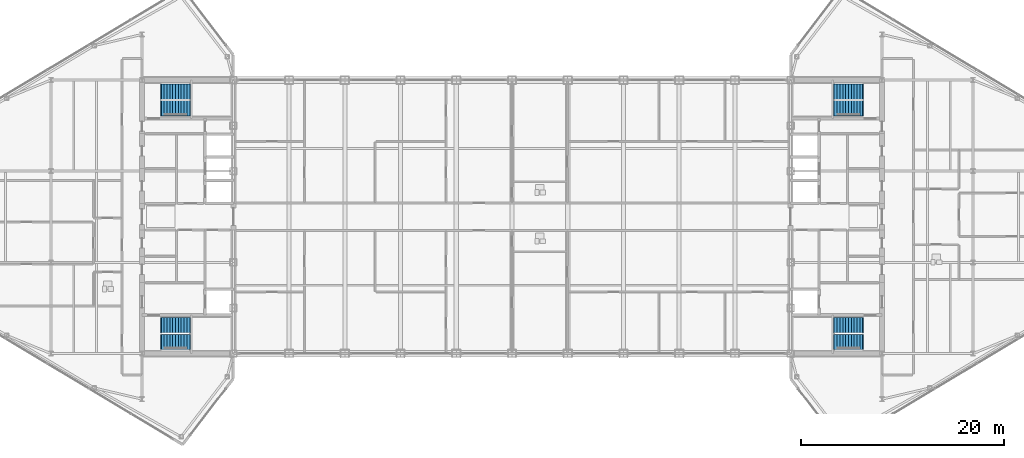
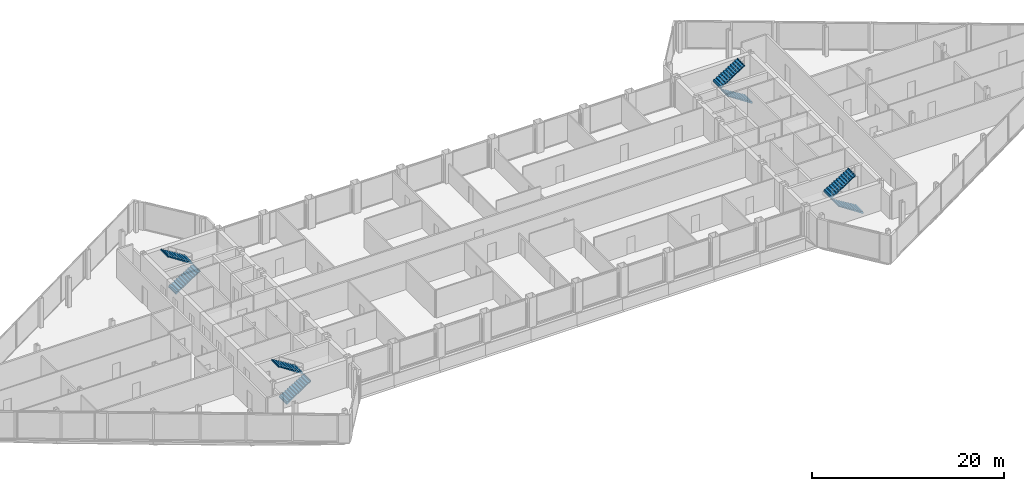
# One storey, part 27 of 29: 8 stair flights, 4 elements without a shape of their own.
"""IFC4 building model written with IfcOpenShell, lengths in metres."""

from ifc_helpers import new_model, si_unit, direction, frame, origin, place, context, subcontext, project, spatial, polyline, outline, extrude, material, type_object, element, aggregate, save


model = new_model("IFC4")

# Units and contexts
model_context = context("Model", 3, precision=1e-05, world=origin(), true_north=direction((0.0, 1.0)))
body_context = subcontext(model_context, "Body", "Model", "MODEL_VIEW")
ifc_project = project(units=[si_unit("LENGTHUNIT", "METRE"), si_unit("AREAUNIT", "SQUARE_METRE"), si_unit("VOLUMEUNIT", "CUBIC_METRE"), si_unit("PLANEANGLEUNIT", "RADIAN"), si_unit("MASSUNIT", "GRAM", prefix="KILO")], contexts=[model_context])

# Site, building, storey
site_placement = place(None, origin())
site = spatial("IfcSite", under=ifc_project, at=site_placement, CompositionType="ELEMENT")
building_placement = place(site_placement, origin())
building = spatial("IfcBuilding", under=site, at=building_placement, Name="Seokmaru Belvedere", CompositionType="ELEMENT")
storey_placement = place(building_placement, frame((0.0, 0.0, 239.39990234375)))
storey = spatial("IfcBuildingStorey", under=building, at=storey_placement, Name="L63", CompositionType="ELEMENT", Elevation=239.39990234375)

# Stair, stair flights
ifc_material = material(Name="Concrete C40 (40 MPa)", Category="concrete")
stair_type = type_object("IfcStairType", Name="Sky-Gate Residential Core Dog-Leg Stair 3750", PredefinedType="TWO_STRAIGHT_RUN_STAIR", material=ifc_material)
stair_1_placement = place(storey_placement, origin())
stair_1 = element("IfcStair", 1, at=stair_1_placement, inside=storey, type_object=stair_type, Name="L63 Special Escape Stair ST-W1", PredefinedType="TWO_STRAIGHT_RUN_STAIR")
stair_flight_type = type_object("IfcStairFlightType", Name="Reinforced Concrete Stair Flight 1500", PredefinedType="STRAIGHT", material=ifc_material)
stair_flight_1_placement = place(storey_placement, frame((-34.60009765625, -12.35009765625, 0.0), z_axis=(0.0, 0.0, 1.0), x_axis=(1.0, 0.0, 0.0)))
stair_flight_1 = element("IfcStairFlight", 2, at=stair_flight_1_placement, type_object=stair_flight_type, Name="ST-W1 flight 1", NumberOfRisers=11, NumberOfTreads=10, PredefinedType="STRAIGHT", RiserHeight=0.170454545, TreadLength=0.28, context=body_context, shape_type="SweptSolid", body=[
    extrude(outline(polyline([(-0.080078125, 0.0), (0.0, 0.17041015625), (0.280029296875, 0.17041015625), (0.280029296875, 0.3408203125), (0.56005859375, 0.3408203125), (0.56005859375, 0.511474609375), (0.840087890625, 0.511474609375), (0.840087890625, 0.681884765625), (1.1201171875, 0.681884765625), (1.1201171875, 0.852294921875), (1.39990234375, 0.852294921875), (1.39990234375, 1.022705078125), (1.679931640625, 1.022705078125), (1.679931640625, 1.193115234375), (1.9599609375, 1.193115234375), (1.9599609375, 1.363525390625), (2.239990234375, 1.363525390625), (2.239990234375, 1.5341796875), (2.52001953125, 1.5341796875), (2.52001953125, 1.70458984375), (2.800048828125, 1.70458984375), (2.800048828125, 1.875), (2.8798828125, 1.875), (2.8798828125, 1.68505859375), (2.800048828125, 1.68505859375), (0.0, -0.159912109375), (-0.080078125, -0.159912109375), (-0.080078125, 0.0)])), frame((0.0, 0.75, 0.0), z_axis=(0.0, -1.0, 0.0), x_axis=(1.0, 0.0, 0.0)), (0.0, 0.0, 1.0), 1.5),
])
stair_flight_2_placement = place(storey_placement, frame((-31.800048828125, -10.7099609375, 1.875), z_axis=(0.0, 0.0, 1.0), x_axis=(-1.0, 0.0, 0.0)))
stair_flight_2 = element("IfcStairFlight", 3, at=stair_flight_2_placement, type_object=stair_flight_type, Name="ST-W1 flight 2", NumberOfRisers=11, NumberOfTreads=10, PredefinedType="STRAIGHT", RiserHeight=0.170454545, TreadLength=0.28, context=body_context, shape_type="SweptSolid", body=[
    extrude(outline(polyline([(-0.080078125, 0.0), (0.0, 0.17041015625), (0.280029296875, 0.17041015625), (0.280029296875, 0.3408203125), (0.56005859375, 0.3408203125), (0.56005859375, 0.511474609375), (0.840087890625, 0.511474609375), (0.840087890625, 0.681884765625), (1.1201171875, 0.681884765625), (1.1201171875, 0.852294921875), (1.39990234375, 0.852294921875), (1.39990234375, 1.022705078125), (1.679931640625, 1.022705078125), (1.679931640625, 1.193115234375), (1.9599609375, 1.193115234375), (1.9599609375, 1.363525390625), (2.239990234375, 1.363525390625), (2.239990234375, 1.5341796875), (2.52001953125, 1.5341796875), (2.52001953125, 1.70458984375), (2.800048828125, 1.70458984375), (2.800048828125, 1.875), (2.8798828125, 1.875), (2.8798828125, 1.68505859375), (2.800048828125, 1.68505859375), (0.0, -0.159912109375), (-0.080078125, -0.159912109375), (-0.080078125, 0.0)])), frame((0.0, 0.75, 0.0), z_axis=(0.0, -1.0, 0.0), x_axis=(1.0, 0.0, 0.0)), (0.0, 0.0, 1.0), 1.5),
])
aggregate(stair_1, [stair_flight_1, stair_flight_2])

stair_2_placement = place(storey_placement, origin())
stair_2 = element("IfcStair", 4, at=stair_2_placement, inside=storey, type_object=stair_type, Name="L63 Special Escape Stair ST-W2", PredefinedType="TWO_STRAIGHT_RUN_STAIR")
stair_flight_3_placement = place(storey_placement, frame((-34.60009765625, 10.7099609375, 0.0), z_axis=(0.0, 0.0, 1.0), x_axis=(1.0, 0.0, 0.0)))
stair_flight_3 = element("IfcStairFlight", 5, at=stair_flight_3_placement, type_object=stair_flight_type, Name="ST-W2 flight 1", NumberOfRisers=11, NumberOfTreads=10, PredefinedType="STRAIGHT", RiserHeight=0.170454545, TreadLength=0.28, context=body_context, shape_type="SweptSolid", body=[
    extrude(outline(polyline([(-0.080078125, 0.0), (0.0, 0.17041015625), (0.280029296875, 0.17041015625), (0.280029296875, 0.3408203125), (0.56005859375, 0.3408203125), (0.56005859375, 0.511474609375), (0.840087890625, 0.511474609375), (0.840087890625, 0.681884765625), (1.1201171875, 0.681884765625), (1.1201171875, 0.852294921875), (1.39990234375, 0.852294921875), (1.39990234375, 1.022705078125), (1.679931640625, 1.022705078125), (1.679931640625, 1.193115234375), (1.9599609375, 1.193115234375), (1.9599609375, 1.363525390625), (2.239990234375, 1.363525390625), (2.239990234375, 1.5341796875), (2.52001953125, 1.5341796875), (2.52001953125, 1.70458984375), (2.800048828125, 1.70458984375), (2.800048828125, 1.875), (2.8798828125, 1.875), (2.8798828125, 1.68505859375), (2.800048828125, 1.68505859375), (0.0, -0.159912109375), (-0.080078125, -0.159912109375), (-0.080078125, 0.0)])), frame((0.0, 0.75, 0.0), z_axis=(0.0, -1.0, 0.0), x_axis=(1.0, 0.0, 0.0)), (0.0, 0.0, 1.0), 1.5),
])
stair_flight_4_placement = place(storey_placement, frame((-31.800048828125, 12.35009765625, 1.875), z_axis=(0.0, 0.0, 1.0), x_axis=(-1.0, 0.0, 0.0)))
stair_flight_4 = element("IfcStairFlight", 6, at=stair_flight_4_placement, type_object=stair_flight_type, Name="ST-W2 flight 2", NumberOfRisers=11, NumberOfTreads=10, PredefinedType="STRAIGHT", RiserHeight=0.170454545, TreadLength=0.28, context=body_context, shape_type="SweptSolid", body=[
    extrude(outline(polyline([(-0.080078125, 0.0), (0.0, 0.17041015625), (0.280029296875, 0.17041015625), (0.280029296875, 0.3408203125), (0.56005859375, 0.3408203125), (0.56005859375, 0.511474609375), (0.840087890625, 0.511474609375), (0.840087890625, 0.681884765625), (1.1201171875, 0.681884765625), (1.1201171875, 0.852294921875), (1.39990234375, 0.852294921875), (1.39990234375, 1.022705078125), (1.679931640625, 1.022705078125), (1.679931640625, 1.193115234375), (1.9599609375, 1.193115234375), (1.9599609375, 1.363525390625), (2.239990234375, 1.363525390625), (2.239990234375, 1.5341796875), (2.52001953125, 1.5341796875), (2.52001953125, 1.70458984375), (2.800048828125, 1.70458984375), (2.800048828125, 1.875), (2.8798828125, 1.875), (2.8798828125, 1.68505859375), (2.800048828125, 1.68505859375), (0.0, -0.159912109375), (-0.080078125, -0.159912109375), (-0.080078125, 0.0)])), frame((0.0, 0.75, 0.0), z_axis=(0.0, -1.0, 0.0), x_axis=(1.0, 0.0, 0.0)), (0.0, 0.0, 1.0), 1.5),
])
aggregate(stair_2, [stair_flight_3, stair_flight_4])

stair_3_placement = place(storey_placement, origin())
stair_3 = element("IfcStair", 7, at=stair_3_placement, inside=storey, type_object=stair_type, Name="L63 Special Escape Stair ST-E1", PredefinedType="TWO_STRAIGHT_RUN_STAIR")
stair_flight_5_placement = place(storey_placement, frame((34.60009765625, -12.35009765625, 0.0), z_axis=(0.0, 0.0, 1.0), x_axis=(-1.0, 0.0, 0.0)))
stair_flight_5 = element("IfcStairFlight", 8, at=stair_flight_5_placement, type_object=stair_flight_type, Name="ST-E1 flight 1", NumberOfRisers=11, NumberOfTreads=10, PredefinedType="STRAIGHT", RiserHeight=0.170454545, TreadLength=0.28, context=body_context, shape_type="SweptSolid", body=[
    extrude(outline(polyline([(-0.080078125, 0.0), (0.0, 0.17041015625), (0.280029296875, 0.17041015625), (0.280029296875, 0.3408203125), (0.56005859375, 0.3408203125), (0.56005859375, 0.511474609375), (0.840087890625, 0.511474609375), (0.840087890625, 0.681884765625), (1.1201171875, 0.681884765625), (1.1201171875, 0.852294921875), (1.39990234375, 0.852294921875), (1.39990234375, 1.022705078125), (1.679931640625, 1.022705078125), (1.679931640625, 1.193115234375), (1.9599609375, 1.193115234375), (1.9599609375, 1.363525390625), (2.239990234375, 1.363525390625), (2.239990234375, 1.5341796875), (2.52001953125, 1.5341796875), (2.52001953125, 1.70458984375), (2.800048828125, 1.70458984375), (2.800048828125, 1.875), (2.8798828125, 1.875), (2.8798828125, 1.68505859375), (2.800048828125, 1.68505859375), (0.0, -0.159912109375), (-0.080078125, -0.159912109375), (-0.080078125, 0.0)])), frame((0.0, 0.75, 0.0), z_axis=(0.0, -1.0, 0.0), x_axis=(1.0, 0.0, 0.0)), (0.0, 0.0, 1.0), 1.5),
])
stair_flight_6_placement = place(storey_placement, frame((31.800048828125, -10.7099609375, 1.875), z_axis=(0.0, 0.0, 1.0), x_axis=(1.0, 0.0, 0.0)))
stair_flight_6 = element("IfcStairFlight", 9, at=stair_flight_6_placement, type_object=stair_flight_type, Name="ST-E1 flight 2", NumberOfRisers=11, NumberOfTreads=10, PredefinedType="STRAIGHT", RiserHeight=0.170454545, TreadLength=0.28, context=body_context, shape_type="SweptSolid", body=[
    extrude(outline(polyline([(-0.080078125, 0.0), (0.0, 0.17041015625), (0.280029296875, 0.17041015625), (0.280029296875, 0.3408203125), (0.56005859375, 0.3408203125), (0.56005859375, 0.511474609375), (0.840087890625, 0.511474609375), (0.840087890625, 0.681884765625), (1.1201171875, 0.681884765625), (1.1201171875, 0.852294921875), (1.39990234375, 0.852294921875), (1.39990234375, 1.022705078125), (1.679931640625, 1.022705078125), (1.679931640625, 1.193115234375), (1.9599609375, 1.193115234375), (1.9599609375, 1.363525390625), (2.239990234375, 1.363525390625), (2.239990234375, 1.5341796875), (2.52001953125, 1.5341796875), (2.52001953125, 1.70458984375), (2.800048828125, 1.70458984375), (2.800048828125, 1.875), (2.8798828125, 1.875), (2.8798828125, 1.68505859375), (2.800048828125, 1.68505859375), (0.0, -0.159912109375), (-0.080078125, -0.159912109375), (-0.080078125, 0.0)])), frame((0.0, 0.75, 0.0), z_axis=(0.0, -1.0, 0.0), x_axis=(1.0, 0.0, 0.0)), (0.0, 0.0, 1.0), 1.5),
])
aggregate(stair_3, [stair_flight_5, stair_flight_6])

stair_4_placement = place(storey_placement, origin())
stair_4 = element("IfcStair", 10, at=stair_4_placement, inside=storey, type_object=stair_type, Name="L63 Special Escape Stair ST-E2", PredefinedType="TWO_STRAIGHT_RUN_STAIR")
stair_flight_7_placement = place(storey_placement, frame((34.60009765625, 10.7099609375, 0.0), z_axis=(0.0, 0.0, 1.0), x_axis=(-1.0, 0.0, 0.0)))
stair_flight_7 = element("IfcStairFlight", 11, at=stair_flight_7_placement, type_object=stair_flight_type, Name="ST-E2 flight 1", NumberOfRisers=11, NumberOfTreads=10, PredefinedType="STRAIGHT", RiserHeight=0.170454545, TreadLength=0.28, context=body_context, shape_type="SweptSolid", body=[
    extrude(outline(polyline([(-0.080078125, 0.0), (0.0, 0.17041015625), (0.280029296875, 0.17041015625), (0.280029296875, 0.3408203125), (0.56005859375, 0.3408203125), (0.56005859375, 0.511474609375), (0.840087890625, 0.511474609375), (0.840087890625, 0.681884765625), (1.1201171875, 0.681884765625), (1.1201171875, 0.852294921875), (1.39990234375, 0.852294921875), (1.39990234375, 1.022705078125), (1.679931640625, 1.022705078125), (1.679931640625, 1.193115234375), (1.9599609375, 1.193115234375), (1.9599609375, 1.363525390625), (2.239990234375, 1.363525390625), (2.239990234375, 1.5341796875), (2.52001953125, 1.5341796875), (2.52001953125, 1.70458984375), (2.800048828125, 1.70458984375), (2.800048828125, 1.875), (2.8798828125, 1.875), (2.8798828125, 1.68505859375), (2.800048828125, 1.68505859375), (0.0, -0.159912109375), (-0.080078125, -0.159912109375), (-0.080078125, 0.0)])), frame((0.0, 0.75, 0.0), z_axis=(0.0, -1.0, 0.0), x_axis=(1.0, 0.0, 0.0)), (0.0, 0.0, 1.0), 1.5),
])
stair_flight_8_placement = place(storey_placement, frame((31.800048828125, 12.35009765625, 1.875), z_axis=(0.0, 0.0, 1.0), x_axis=(1.0, 0.0, 0.0)))
stair_flight_8 = element("IfcStairFlight", 12, at=stair_flight_8_placement, type_object=stair_flight_type, Name="ST-E2 flight 2", NumberOfRisers=11, NumberOfTreads=10, PredefinedType="STRAIGHT", RiserHeight=0.170454545, TreadLength=0.28, context=body_context, shape_type="SweptSolid", body=[
    extrude(outline(polyline([(-0.080078125, 0.0), (0.0, 0.17041015625), (0.280029296875, 0.17041015625), (0.280029296875, 0.3408203125), (0.56005859375, 0.3408203125), (0.56005859375, 0.511474609375), (0.840087890625, 0.511474609375), (0.840087890625, 0.681884765625), (1.1201171875, 0.681884765625), (1.1201171875, 0.852294921875), (1.39990234375, 0.852294921875), (1.39990234375, 1.022705078125), (1.679931640625, 1.022705078125), (1.679931640625, 1.193115234375), (1.9599609375, 1.193115234375), (1.9599609375, 1.363525390625), (2.239990234375, 1.363525390625), (2.239990234375, 1.5341796875), (2.52001953125, 1.5341796875), (2.52001953125, 1.70458984375), (2.800048828125, 1.70458984375), (2.800048828125, 1.875), (2.8798828125, 1.875), (2.8798828125, 1.68505859375), (2.800048828125, 1.68505859375), (0.0, -0.159912109375), (-0.080078125, -0.159912109375), (-0.080078125, 0.0)])), frame((0.0, 0.75, 0.0), z_axis=(0.0, -1.0, 0.0), x_axis=(1.0, 0.0, 0.0)), (0.0, 0.0, 1.0), 1.5),
])
aggregate(stair_4, [stair_flight_7, stair_flight_8])

save(model, "model.ifc")
